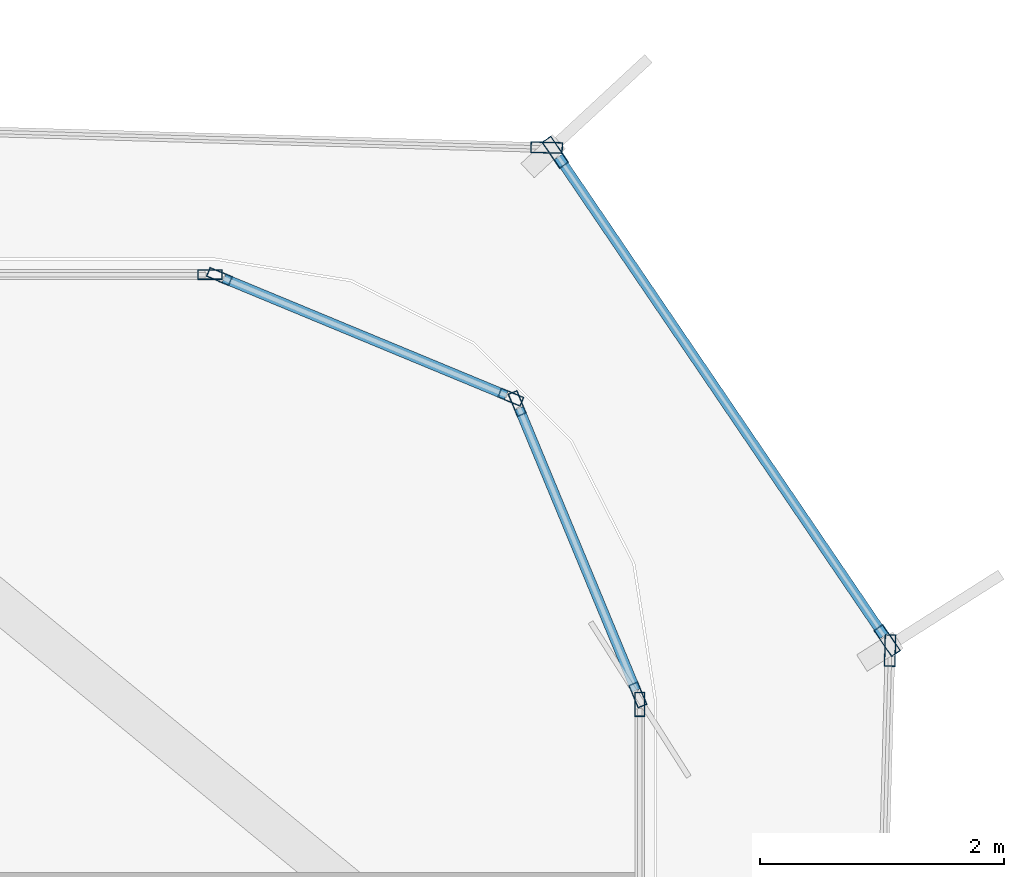
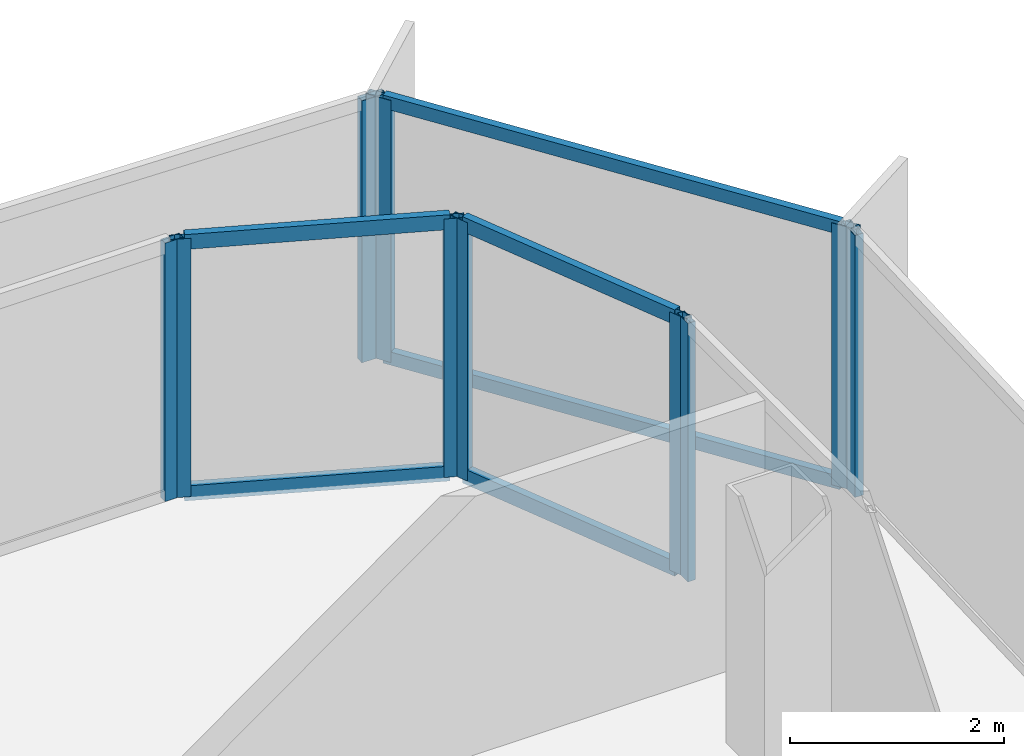
# One storey, part 8 of 16: 16 members, 7 elements without a shape of their own.
"""IFC4 building model written with IfcOpenShell, lengths in metres."""

from ifc_helpers import new_model, si_unit, direction, frame, origin, origin_2d, place, context, subcontext, project, spatial, hollow_rectangle, extrude, source, transform, mapped, material, layer, layer_set, material_profile, profile_set, type_object, element, aggregate, save


model = new_model("IFC4")

# Units and contexts
model_context = context("Model", 3, precision=1e-05, world=origin(), true_north=direction((0.0, 1.0)))
body_context = subcontext(model_context, "Body", "Model", "MODEL_VIEW")
ifc_project = project(units=[si_unit("LENGTHUNIT", "METRE"), si_unit("AREAUNIT", "SQUARE_METRE"), si_unit("VOLUMEUNIT", "CUBIC_METRE"), si_unit("PLANEANGLEUNIT", "RADIAN"), si_unit("MASSUNIT", "GRAM", prefix="KILO")], contexts=[model_context])

# Site, building, storey
site_placement = place(None, origin())
site = spatial("IfcSite", under=ifc_project, at=site_placement, CompositionType="ELEMENT")
building_placement = place(site_placement, origin())
building = spatial("IfcBuilding", under=site, at=building_placement, Name="Kolveth Station Tower", CompositionType="ELEMENT")
storey_placement = place(building_placement, frame((0.0, 0.0, 209.199951171875)))
storey = spatial("IfcBuildingStorey", under=building, at=storey_placement, Name="L59", CompositionType="ELEMENT", Elevation=209.199951171875)

# Curtain wall, member
ifc_material_1 = material(Name="Aluminium 6063-T6 and low-E dark glass", Category="aluminium")
ifc_layer_1 = layer(ifc_material_1, 0.18994140625)
ifc_layer_set_1 = layer_set([ifc_layer_1], Name="Aluminium 6063-T6 and low-E dark glass")
curtain_wall_type_1 = type_object("IfcCurtainWallType", Name="CurtainWall_CW-Z2", PredefinedType="NOTDEFINED", material=ifc_layer_set_1)
curtain_wall_1_placement = place(storey_placement, origin())
curtain_wall_1 = element("IfcCurtainWall", 1, at=curtain_wall_1_placement, inside=storey, type_object=curtain_wall_type_1, Name="L59 Inner Thermal Curtain Wall 3", PredefinedType="NOTDEFINED")
ifc_material_2 = material(Name="Black anodized aluminium 6063-T6", Category="aluminium")
ifc_material_profile_1 = material_profile(ifc_material_2, hollow_rectangle(XDim=0.080078125, YDim=0.199951171875, WallThickness=0.0048828125, at=origin_2d()), Name="ALU-80x200x5")
ifc_profile_set_1 = profile_set([ifc_material_profile_1], Name="Black anodized aluminium 6063-T6")
member_type_1 = type_object("IfcMemberType", Name="Mullion_ML2", PredefinedType="MULLION", material=ifc_profile_set_1)
shared_shape_1 = source(origin(), body_context, "Body", "SweptSolid", [
    extrude(hollow_rectangle(XDim=0.080078125, YDim=0.199951171875, WallThickness=0.0048828125, at=origin_2d()), origin(), (0.0, 0.0, 1.0), 2.949951171875),
])
member_1_placement = place(storey_placement, frame((41.679931640625, 31.659912109375, 0.0), z_axis=(0.0, 0.0, 1.0), x_axis=(-1.0, 0.0, 0.0)))
member_1 = element("IfcMember", 2, at=member_1_placement, type_object=member_type_1, Name="CW-Z2 mullion 2", PredefinedType="MULLION", context=body_context, shape_type="MappedRepresentation", body=[
    mapped(shared_shape_1, transform((0.0, 0.0, 0.0), x_axis=(1.0, 0.0, 0.0), y_axis=(0.0, 1.0, 0.0), z_axis=(0.0, 0.0, 1.0), scale=1.0)),
])
aggregate(curtain_wall_1, [member_1])

# Curtain wall, members
curtain_wall_2_placement = place(storey_placement, origin())
curtain_wall_2 = element("IfcCurtainWall", 3, at=curtain_wall_2_placement, inside=storey, type_object=curtain_wall_type_1, Name="L59 Inner Thermal Curtain Wall 4", PredefinedType="NOTDEFINED")
member_2_placement = place(storey_placement, frame((41.664794921875, 31.737060546875, 0.0), z_axis=(0.0, 0.0, 1.0), x_axis=(-0.923873600544, -0.382697753087, 0.0)))
member_2 = element("IfcMember", 4, at=member_2_placement, type_object=member_type_1, Name="CW-Z2 mullion 1", PredefinedType="MULLION", context=body_context, shape_type="MappedRepresentation", body=[
    mapped(shared_shape_1, transform((0.0, 0.0, 0.0), x_axis=(1.0, 0.0, 0.0), y_axis=(0.0, 1.0, 0.0), z_axis=(0.0, 0.0, 1.0), scale=1.0)),
])
member_3_placement = place(storey_placement, frame((40.676025390625, 34.123779296875, 0.0), z_axis=(0.0, 0.0, 1.0), x_axis=(-0.923873600544, -0.382697753087, 0.0)))
member_3 = element("IfcMember", 5, at=member_3_placement, type_object=member_type_1, Name="CW-Z2 mullion 2", PredefinedType="MULLION", context=body_context, shape_type="MappedRepresentation", body=[
    mapped(shared_shape_1, transform((0.0, 0.0, 0.0), x_axis=(1.0, 0.0, 0.0), y_axis=(0.0, 1.0, 0.0), z_axis=(0.0, 0.0, 1.0), scale=1.0)),
])

curtain_wall_3_placement = place(storey_placement, origin())
curtain_wall_3 = element("IfcCurtainWall", 6, at=curtain_wall_3_placement, inside=storey, type_object=curtain_wall_type_1, Name="L59 Inner Thermal Curtain Wall 5", PredefinedType="NOTDEFINED")
member_4_placement = place(storey_placement, frame((40.623779296875, 34.176025390625, 0.0), z_axis=(0.0, 0.0, 1.0), x_axis=(-0.382697753087, -0.923873600544, 0.0)))
member_4 = element("IfcMember", 7, at=member_4_placement, type_object=member_type_1, Name="CW-Z2 mullion 1", PredefinedType="MULLION", context=body_context, shape_type="MappedRepresentation", body=[
    mapped(shared_shape_1, transform((0.0, 0.0, 0.0), x_axis=(1.0, 0.0, 0.0), y_axis=(0.0, 1.0, 0.0), z_axis=(0.0, 0.0, 1.0), scale=1.0)),
])
member_5_placement = place(storey_placement, frame((38.237060546875, 35.164794921875, 0.0), z_axis=(0.0, 0.0, 1.0), x_axis=(-0.382697753087, -0.923873600544, 0.0)))
member_5 = element("IfcMember", 8, at=member_5_placement, type_object=member_type_1, Name="CW-Z2 mullion 2", PredefinedType="MULLION", context=body_context, shape_type="MappedRepresentation", body=[
    mapped(shared_shape_1, transform((0.0, 0.0, 0.0), x_axis=(1.0, 0.0, 0.0), y_axis=(0.0, 1.0, 0.0), z_axis=(0.0, 0.0, 1.0), scale=1.0)),
])

# Curtain wall, member
curtain_wall_4_placement = place(storey_placement, origin())
curtain_wall_4 = element("IfcCurtainWall", 9, at=curtain_wall_4_placement, inside=storey, type_object=curtain_wall_type_1, Name="L59 Inner Thermal Curtain Wall 6", PredefinedType="NOTDEFINED")
member_6_placement = place(storey_placement, frame((38.159912109375, 35.179931640625, 0.0), z_axis=(0.0, 0.0, 1.0), x_axis=(0.0, -1.0, 0.0)))
member_6 = element("IfcMember", 10, at=member_6_placement, type_object=member_type_1, Name="CW-Z2 mullion 1", PredefinedType="MULLION", context=body_context, shape_type="MappedRepresentation", body=[
    mapped(shared_shape_1, transform((0.0, 0.0, 0.0), x_axis=(1.0, 0.0, 0.0), y_axis=(0.0, 1.0, 0.0), z_axis=(0.0, 0.0, 1.0), scale=1.0)),
])
aggregate(curtain_wall_4, [member_6])

ifc_material_3 = material(Name="Black anodized aluminium 6063-T6 and dark solar glass", Category="aluminium")
ifc_layer_2 = layer(ifc_material_3, 0.159912109375)
ifc_layer_set_2 = layer_set([ifc_layer_2], Name="Black anodized aluminium 6063-T6 and dark solar glass")
curtain_wall_type_2 = type_object("IfcCurtainWallType", Name="OUTER SKIN CW-OS", PredefinedType="NOTDEFINED", material=ifc_layer_set_2)
curtain_wall_5_placement = place(storey_placement, origin())
curtain_wall_5 = element("IfcCurtainWall", 11, at=curtain_wall_5_placement, inside=storey, type_object=curtain_wall_type_2, Name="L59 Outer Ventilated Skin Curtain Wall 2", PredefinedType="NOTDEFINED")
ifc_material_profile_2 = material_profile(ifc_material_2, hollow_rectangle(XDim=0.090087890625, YDim=0.260009765625, WallThickness=0.0048828125, at=origin_2d()), Name="ALU-90x260x5")
ifc_profile_set_2 = profile_set([ifc_material_profile_2], Name="Black anodized aluminium 6063-T6")
member_type_2 = type_object("IfcMemberType", Name="FIN MULLION ML-OS", PredefinedType="MULLION", material=ifc_profile_set_2)
shared_shape_2 = source(origin(), body_context, "Body", "SweptSolid", [
    extrude(hollow_rectangle(XDim=0.090087890625, YDim=0.260009765625, WallThickness=0.0048828125, at=origin_2d()), origin(), (0.0, 0.0, 1.0), 2.989990234375),
])
member_7_placement = place(storey_placement, frame((43.730712890625, 32.1005859375, 0.0), z_axis=(0.0, 0.0, 1.0), x_axis=(-0.999620313441, 0.027554109622, 0.0)))
member_7 = element("IfcMember", 12, at=member_7_placement, type_object=member_type_2, Name="CW-OS mullion 2", PredefinedType="MULLION", context=body_context, shape_type="MappedRepresentation", body=[
    mapped(shared_shape_2, transform((0.0, 0.0, 0.0), x_axis=(1.0, 0.0, 0.0), y_axis=(0.0, 1.0, 0.0), z_axis=(0.0, 0.0, 1.0), scale=1.0)),
])
aggregate(curtain_wall_5, [member_7])

# Curtain wall, members
curtain_wall_6_placement = place(storey_placement, origin())
curtain_wall_6 = element("IfcCurtainWall", 13, at=curtain_wall_6_placement, inside=storey, type_object=curtain_wall_type_2, Name="L59 Outer Ventilated Skin Curtain Wall 3", PredefinedType="NOTDEFINED")
member_8_placement = place(storey_placement, frame((43.706787109375, 32.1826171875, 0.0), z_axis=(0.0, 0.0, 1.0), x_axis=(-0.827031838911, -0.562155083076, 0.0)))
member_8 = element("IfcMember", 14, at=member_8_placement, type_object=member_type_2, Name="CW-OS mullion 1", PredefinedType="MULLION", context=body_context, shape_type="MappedRepresentation", body=[
    mapped(shared_shape_2, transform((0.0, 0.0, 0.0), x_axis=(1.0, 0.0, 0.0), y_axis=(0.0, 1.0, 0.0), z_axis=(0.0, 0.0, 1.0), scale=1.0)),
])
member_9_placement = place(storey_placement, frame((40.98828125, 36.181884765625, 0.0), z_axis=(0.0, 0.0, 1.0), x_axis=(-0.827031838911, -0.562155083076, 0.0)))
member_9 = element("IfcMember", 15, at=member_9_placement, type_object=member_type_2, Name="CW-OS mullion 2", PredefinedType="MULLION", context=body_context, shape_type="MappedRepresentation", body=[
    mapped(shared_shape_2, transform((0.0, 0.0, 0.0), x_axis=(1.0, 0.0, 0.0), y_axis=(0.0, 1.0, 0.0), z_axis=(0.0, 0.0, 1.0), scale=1.0)),
])

# Curtain wall, member
curtain_wall_7_placement = place(storey_placement, origin())
curtain_wall_7 = element("IfcCurtainWall", 16, at=curtain_wall_7_placement, inside=storey, type_object=curtain_wall_type_2, Name="L59 Outer Ventilated Skin Curtain Wall 4", PredefinedType="NOTDEFINED")
member_10_placement = place(storey_placement, frame((40.91796875, 36.220458984375, 0.0), z_axis=(0.0, 0.0, 1.0), x_axis=(-0.028325205957, -0.999598760857, 0.0)))
member_10 = element("IfcMember", 17, at=member_10_placement, type_object=member_type_2, Name="CW-OS mullion 1", PredefinedType="MULLION", context=body_context, shape_type="MappedRepresentation", body=[
    mapped(shared_shape_2, transform((0.0, 0.0, 0.0), x_axis=(1.0, 0.0, 0.0), y_axis=(0.0, 1.0, 0.0), z_axis=(0.0, 0.0, 1.0), scale=1.0)),
])
aggregate(curtain_wall_7, [member_10])

# Member
ifc_material_profile_3 = material_profile(ifc_material_2, hollow_rectangle(XDim=0.080078125, YDim=0.169921875, WallThickness=0.0048828125, at=origin_2d()), Name="ALU-80x170x5")
ifc_profile_set_3 = profile_set([ifc_material_profile_3], Name="Black anodized aluminium 6063-T6")
member_type_3 = type_object("IfcMemberType", Name="Transom_TR2", PredefinedType="USERDEFINED", material=ifc_profile_set_3)
shared_shape_3 = source(origin(), body_context, "Body", "SweptSolid", [
    extrude(hollow_rectangle(XDim=0.080078125, YDim=0.169921875, WallThickness=0.0048828125, at=origin_2d()), origin(), (0.0, 0.0, 1.0), 2.50341796875),
])
member_11_placement = place(storey_placement, frame((41.6494140625, 31.77392578125, 0.0400390625), z_axis=(-0.382696328882, 0.923874190494, 0.0), x_axis=(-0.923874190494, -0.382696328882, 0.0)))
member_11 = element("IfcMember", 18, at=member_11_placement, type_object=member_type_3, Name="CW-Z2 transom 1.1", ObjectType="TRANSOM", PredefinedType="USERDEFINED", context=body_context, shape_type="MappedRepresentation", body=[
    mapped(shared_shape_3, transform((0.0, 0.0, 0.0), x_axis=(1.0, 0.0, 0.0), y_axis=(0.0, 1.0, 0.0), z_axis=(0.0, 0.0, 1.0), scale=1.0)),
])

member_12_placement = place(storey_placement, frame((41.6494140625, 31.77392578125, 2.91015625), z_axis=(-0.382696328882, 0.923874190494, 0.0), x_axis=(-0.923874190494, -0.382696328882, 0.0)))
member_12 = element("IfcMember", 19, at=member_12_placement, type_object=member_type_3, Name="CW-Z2 transom 1.2", ObjectType="TRANSOM", PredefinedType="USERDEFINED", context=body_context, shape_type="MappedRepresentation", body=[
    mapped(shared_shape_3, transform((0.0, 0.0, 0.0), x_axis=(1.0, 0.0, 0.0), y_axis=(0.0, 1.0, 0.0), z_axis=(0.0, 0.0, 1.0), scale=1.0)),
])

aggregate(curtain_wall_2, [member_2, member_3, member_11, member_12])

member_13_placement = place(storey_placement, frame((40.586669921875, 34.19140625, 0.0400390625), z_axis=(-0.923874190494, 0.382696328882, 0.0), x_axis=(-0.382696328882, -0.923874190494, 0.0)))
member_13 = element("IfcMember", 20, at=member_13_placement, type_object=member_type_3, Name="CW-Z2 transom 1.1", ObjectType="TRANSOM", PredefinedType="USERDEFINED", context=body_context, shape_type="MappedRepresentation", body=[
    mapped(shared_shape_3, transform((0.0, 0.0, 0.0), x_axis=(1.0, 0.0, 0.0), y_axis=(0.0, 1.0, 0.0), z_axis=(0.0, 0.0, 1.0), scale=1.0)),
])

member_14_placement = place(storey_placement, frame((40.586669921875, 34.19140625, 2.91015625), z_axis=(-0.923874190494, 0.382696328882, 0.0), x_axis=(-0.382696328882, -0.923874190494, 0.0)))
member_14 = element("IfcMember", 21, at=member_14_placement, type_object=member_type_3, Name="CW-Z2 transom 1.2", ObjectType="TRANSOM", PredefinedType="USERDEFINED", context=body_context, shape_type="MappedRepresentation", body=[
    mapped(shared_shape_3, transform((0.0, 0.0, 0.0), x_axis=(1.0, 0.0, 0.0), y_axis=(0.0, 1.0, 0.0), z_axis=(0.0, 0.0, 1.0), scale=1.0)),
])

aggregate(curtain_wall_3, [member_4, member_5, member_13, member_14])

ifc_material_profile_4 = material_profile(ifc_material_2, hollow_rectangle(XDim=0.080078125, YDim=0.14990234375, WallThickness=0.0048828125, at=origin_2d()), Name="ALU-80x150x5")
ifc_profile_set_4 = profile_set([ifc_material_profile_4], Name="Black anodized aluminium 6063-T6")
member_type_4 = type_object("IfcMemberType", Name="Transom_TR-OS", PredefinedType="USERDEFINED", material=ifc_profile_set_4)
shared_shape_4 = source(origin(), body_context, "Body", "SweptSolid", [
    extrude(hollow_rectangle(XDim=0.080078125, YDim=0.14990234375, WallThickness=0.0048828125, at=origin_2d()), origin(), (0.0, 0.0, 1.0), 4.74560546875),
])
member_15_placement = place(storey_placement, frame((43.681396484375, 32.219970703125, 0.0400390625), z_axis=(-0.56214537329, 0.827038438822, 0.0), x_axis=(-0.827038438822, -0.56214537329, 0.0)))
member_15 = element("IfcMember", 22, at=member_15_placement, type_object=member_type_4, Name="CW-OS transom 1.1", ObjectType="TRANSOM", PredefinedType="USERDEFINED", context=body_context, shape_type="MappedRepresentation", body=[
    mapped(shared_shape_4, transform((0.0, 0.0, 0.0), x_axis=(1.0, 0.0, 0.0), y_axis=(0.0, 1.0, 0.0), z_axis=(0.0, 0.0, 1.0), scale=1.0)),
])

member_16_placement = place(storey_placement, frame((43.681396484375, 32.219970703125, 2.949951171875), z_axis=(-0.56214537329, 0.827038438822, 0.0), x_axis=(-0.827038438822, -0.56214537329, 0.0)))
member_16 = element("IfcMember", 23, at=member_16_placement, type_object=member_type_4, Name="CW-OS transom 1.2", ObjectType="TRANSOM", PredefinedType="USERDEFINED", context=body_context, shape_type="MappedRepresentation", body=[
    mapped(shared_shape_4, transform((0.0, 0.0, 0.0), x_axis=(1.0, 0.0, 0.0), y_axis=(0.0, 1.0, 0.0), z_axis=(0.0, 0.0, 1.0), scale=1.0)),
])

aggregate(curtain_wall_6, [member_8, member_9, member_15, member_16])

save(model, "model.ifc")
